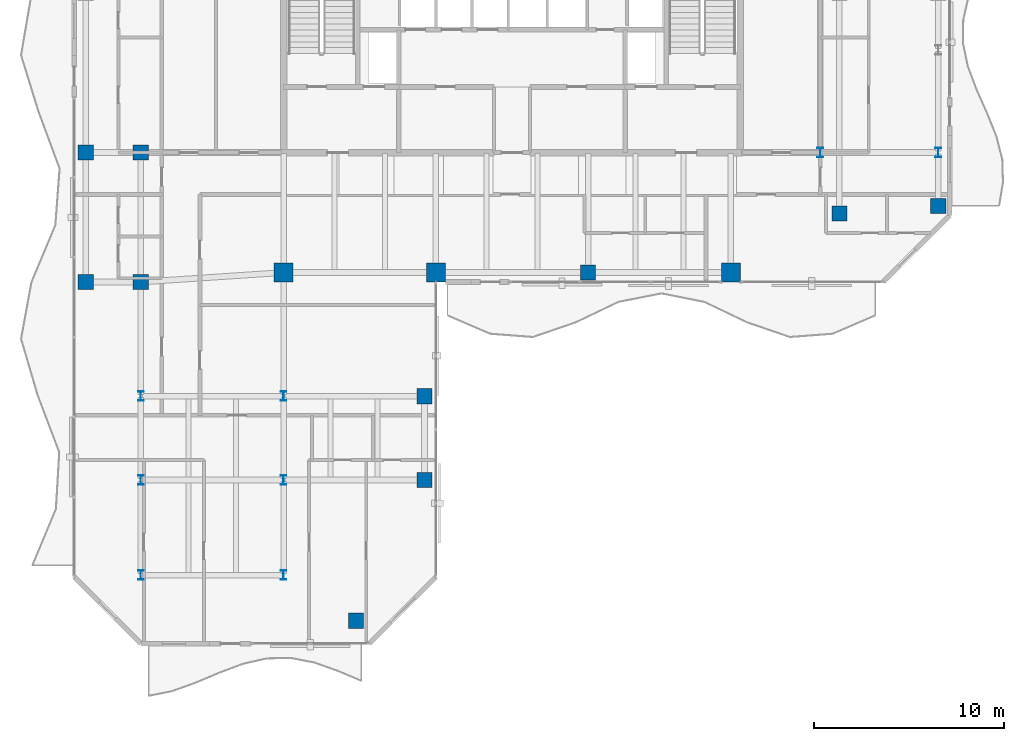
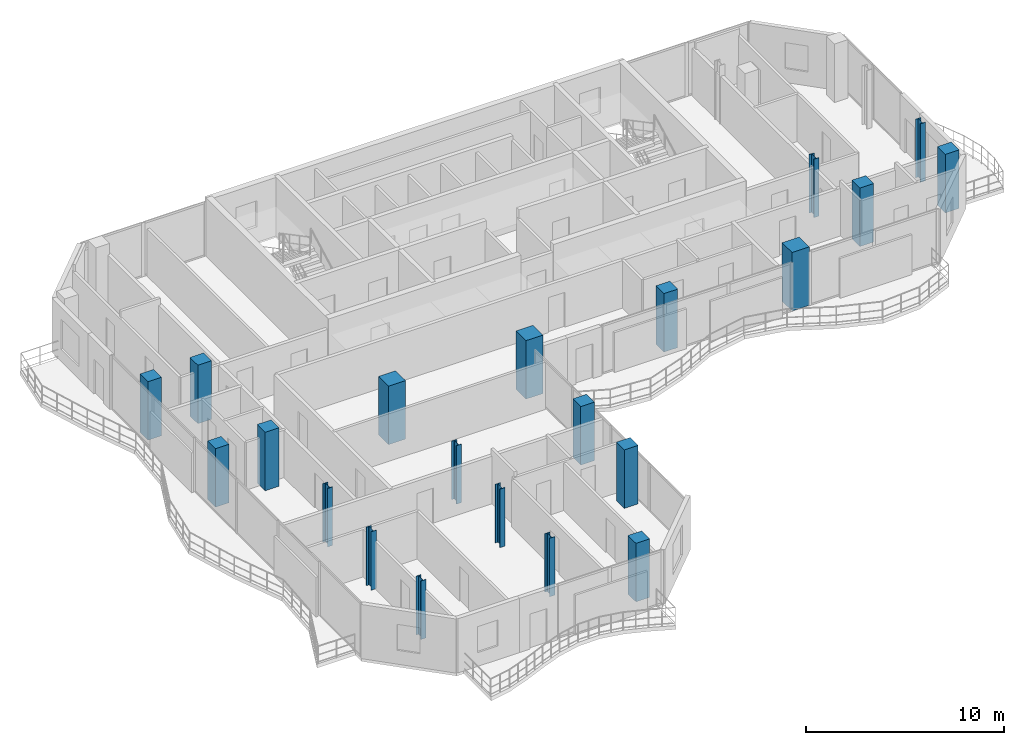
# One storey, part 1 of 23: 21 columns.
"""IFC4 building model written with IfcOpenShell, lengths in metres."""

from ifc_helpers import new_model, si_unit, direction, frame, origin, origin_2d, place, context, subcontext, project, spatial, rectangle, i_section, extrude, material, material_profile, profile_set, type_object, element, save


model = new_model("IFC4")

# Units and contexts
model_context = context("Model", 3, precision=1e-05, world=origin(), true_north=direction((0.0, 1.0)))
body_context = subcontext(model_context, "Body", "Model", "MODEL_VIEW")
ifc_project = project(units=[si_unit("LENGTHUNIT", "METRE"), si_unit("AREAUNIT", "SQUARE_METRE"), si_unit("VOLUMEUNIT", "CUBIC_METRE"), si_unit("PLANEANGLEUNIT", "RADIAN"), si_unit("MASSUNIT", "GRAM", prefix="KILO")], contexts=[model_context])

# Site, building, storey
site_placement = place(None, origin())
site = spatial("IfcSite", under=ifc_project, at=site_placement, CompositionType="ELEMENT")
building_placement = place(site_placement, origin())
building = spatial("IfcBuilding", under=site, at=building_placement, Name="Catumbela Crestline Tower", CompositionType="ELEMENT")
storey_placement = place(building_placement, frame((0.0, 0.0, 190.2)))
storey = spatial("IfcBuildingStorey", under=building, at=storey_placement, Name="L49", CompositionType="ELEMENT", Elevation=190.2)

# Columns
ifc_material_1 = material(Name="Concrete C50/60", Category="concrete")
ifc_material_profile_1 = material_profile(ifc_material_1, rectangle(XDim=1.0, YDim=1.0, at=origin_2d()), Name="RC 1000x1000")
ifc_profile_set_1 = profile_set([ifc_material_profile_1], Name="Concrete C50/60")
column_type_1 = type_object("IfcColumnType", Name="C-RC1000-C50", PredefinedType="COLUMN", material=ifc_profile_set_1)
for number, where, z_axis, x_axis, name in (
    (1, (16.0, 24.5, 0.0), (0.0, 0.0, 1.0), (1.0, 0.0, 0.0), "L49 Column C-16-24 (RC 1000x1000)"),
    (2, (24.0, 24.5, 0.0), (0.0, 0.0, 1.0), (1.0, 0.0, 0.0), "L49 Column C-24-24 (RC 1000x1000)"),
    (3, (39.5, 24.5, 0.0), (0.0, 0.0, 1.0), (1.0, 0.0, 0.0), "L49 Column C-40-24 (RC 1000x1000)"),
):
    element("IfcColumn", number, at=place(storey_placement, frame(where, z_axis=z_axis, x_axis=x_axis)), inside=storey, type_object=column_type_1, Name=name, PredefinedType="COLUMN", context=body_context, shape_type="SweptSolid", body=[
        extrude(rectangle(XDim=1.0, YDim=1.0, at=origin_2d()), origin(), (0.0, 0.0, 1.0), 3.6),
    ])
ifc_material_profile_2 = material_profile(ifc_material_1, rectangle(XDim=0.8, YDim=0.8, at=origin_2d()), Name="RC 800x800")
ifc_profile_set_2 = profile_set([ifc_material_profile_2], Name="Concrete C50/60")
column_type_2 = type_object("IfcColumnType", Name="C-RC800-C50", PredefinedType="COLUMN", material=ifc_profile_set_2)
for number, where, z_axis, x_axis, name in (
    (4, (8.5, 24.0, 0.0), (0.0, 0.0, 1.0), (1.0, 0.0, 0.0), "L49 Column C-08-24 (RC 800x800)"),
    (5, (32.0, 24.5, 0.0), (0.0, 0.0, 1.0), (1.0, 0.0, 0.0), "L49 Column C-32-24 (RC 800x800)"),
    (6, (5.6, 24.0, 0.0), (0.0, 0.0, 1.0), (1.0, 0.0, 0.0), "L49 Column C-05-24 (RC 800x800)"),
    (7, (5.6, 30.8, 0.0), (0.0, 0.0, 1.0), (1.0, 0.0, 0.0), "L49 Column C-05-31 (RC 800x800)"),
    (8, (8.5, 30.8, 0.0), (0.0, 0.0, 1.0), (1.0, 0.0, 0.0), "L49 Column C-08-31 (RC 800x800)"),
    (9, (45.2, 27.6, 0.0), (0.0, 0.0, 1.0), (1.0, 0.0, 0.0), "L49 Column C-46-24 (RC 800x800)"),
    (10, (50.4, 28.0, 0.0), (0.0, 0.0, 1.0), (1.0, 0.0, 0.0), "L49 Column C-51-24 (RC 800x800)"),
    (11, (19.8, 6.2, 0.0), (0.0, 0.0, 1.0), (1.0, 0.0, 0.0), "L49 Column C-24-05 (RC 800x800)"),
    (12, (23.4, 13.6, 0.0), (0.0, 0.0, 1.0), (1.0, 0.0, 0.0), "L49 Column C-24-10 (RC 800x800)"),
    (13, (23.4, 18.0, 0.0), (0.0, 0.0, 1.0), (1.0, 0.0, 0.0), "L49 Column C-24-16 (RC 800x800)"),
):
    element("IfcColumn", number, at=place(storey_placement, frame(where, z_axis=z_axis, x_axis=x_axis)), inside=storey, type_object=column_type_2, Name=name, PredefinedType="COLUMN", context=body_context, shape_type="SweptSolid", body=[
        extrude(rectangle(XDim=0.8, YDim=0.8, at=origin_2d()), origin(), (0.0, 0.0, 1.0), 3.6),
    ])
ifc_material_2 = material(Name="Structural steel S355J2", Category="steel")
ifc_material_profile_3 = material_profile(ifc_material_2, i_section(OverallWidth=0.3, OverallDepth=0.5, WebThickness=0.0145, FlangeThickness=0.028, FilletRadius=0.027, at=origin_2d()), Name="HEB 500")
ifc_profile_set_3 = profile_set([ifc_material_profile_3], Name="Structural steel S355J2")
column_type_3 = type_object("IfcColumnType", Name="C-ST-HEB500", PredefinedType="COLUMN", material=ifc_profile_set_3)
for number, where, z_axis, x_axis, name in (
    (14, (8.5, 8.6, 0.0), (0.0, 0.0, 1.0), (1.0, 0.0, 0.0), "L49 Column CT-05-05 (HEB 500)"),
    (15, (16.0, 8.6, 0.0), (0.0, 0.0, 1.0), (1.0, 0.0, 0.0), "L49 Column CT-14-05 (HEB 500)"),
    (16, (8.5, 13.6, 0.0), (0.0, 0.0, 1.0), (1.0, 0.0, 0.0), "L49 Column CT-05-10 (HEB 500)"),
    (17, (16.0, 13.6, 0.0), (0.0, 0.0, 1.0), (1.0, 0.0, 0.0), "L49 Column CT-14-10 (HEB 500)"),
    (18, (8.5, 18.0, 0.0), (0.0, 0.0, 1.0), (1.0, 0.0, 0.0), "L49 Column CT-05-16 (HEB 500)"),
    (19, (16.0, 18.0, 0.0), (0.0, 0.0, 1.0), (1.0, 0.0, 0.0), "L49 Column CT-14-16 (HEB 500)"),
    (20, (44.2, 30.8, 0.0), (0.0, 0.0, 1.0), (1.0, 0.0, 0.0), "L49 Column CT-46-31 (HEB 500)"),
    (21, (50.4, 30.8, 0.0), (0.0, 0.0, 1.0), (1.0, 0.0, 0.0), "L49 Column CT-51-31 (HEB 500)"),
):
    element("IfcColumn", number, at=place(storey_placement, frame(where, z_axis=z_axis, x_axis=x_axis)), inside=storey, type_object=column_type_3, Name=name, PredefinedType="COLUMN", context=body_context, shape_type="SweptSolid", body=[
        extrude(i_section(OverallWidth=0.3, OverallDepth=0.5, WebThickness=0.0145, FlangeThickness=0.028, FilletRadius=0.027, at=origin_2d()), origin(), (0.0, 0.0, 1.0), 3.6),
    ])

save(model, "model.ifc")
